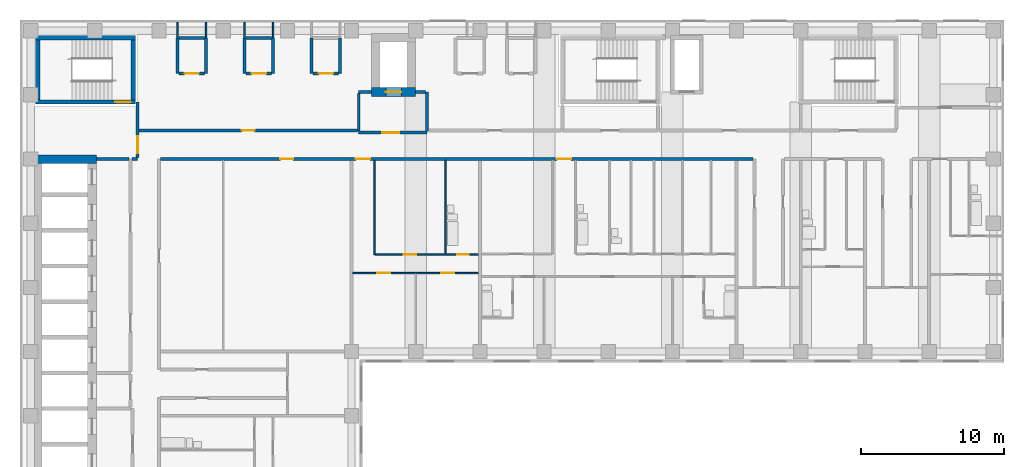
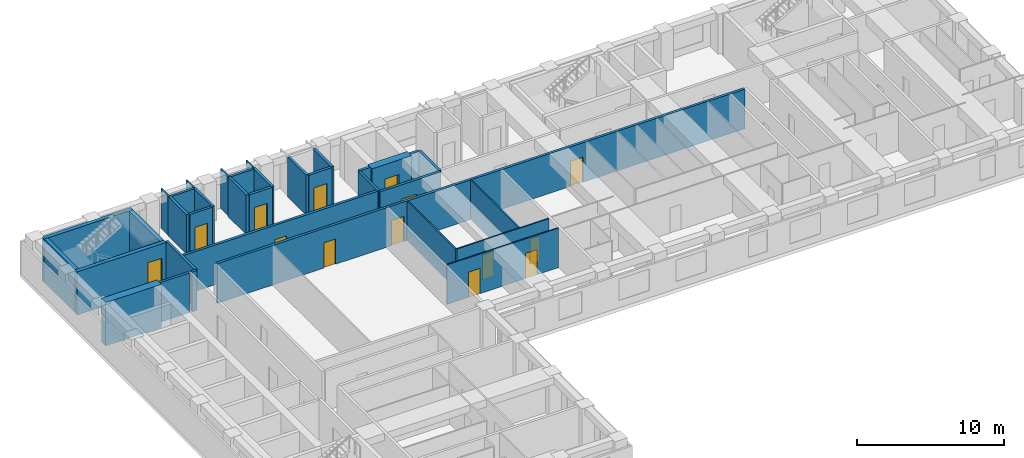
# One storey, part 5 of 12: 35 walls, 15 doors, 15 openings.
"""IFC4 building model written with IfcOpenShell, lengths in metres."""

from ifc_helpers import new_model, si_unit, direction, frame, frame_2d, origin, place, context, subcontext, project, spatial, rectangle, extrude, material, layer, layer_set, type_object, element, fill, save


model = new_model("IFC4")

# Units and contexts
model_context = context("Model", 3, precision=1e-05, world=origin(), true_north=direction((0.0, 1.0)))
body_context = subcontext(model_context, "Body", "Model", "MODEL_VIEW")
ifc_project = project(units=[si_unit("LENGTHUNIT", "METRE"), si_unit("AREAUNIT", "SQUARE_METRE"), si_unit("VOLUMEUNIT", "CUBIC_METRE"), si_unit("PLANEANGLEUNIT", "RADIAN"), si_unit("MASSUNIT", "GRAM", prefix="KILO")], contexts=[model_context])

# Site, building, storey
site_placement = place(None, origin())
site = spatial("IfcSite", under=ifc_project, at=site_placement, CompositionType="ELEMENT")
building_placement = place(site_placement, origin())
building = spatial("IfcBuilding", under=site, at=building_placement, Name="Firuza Court", CompositionType="ELEMENT")
storey_placement = place(building_placement, frame((0.0, 0.0, 126.800048828125)))
storey = spatial("IfcBuildingStorey", under=building, at=storey_placement, Name="L31", CompositionType="ELEMENT", Elevation=126.800048828125)

# Wall
ifc_material_1 = material(Name="Moisture-resistant gypsum board partition")
ifc_layer_1 = layer(ifc_material_1, 0.10009765625)
ifc_layer_set_1 = layer_set([ifc_layer_1], Name="Moisture-resistant gypsum board partition")
wall_type_1 = type_object("IfcWallType", Name="Bathroom partition 100", PredefinedType="PLUMBINGWALL", material=ifc_layer_set_1)
wall_1_placement = place(storey_placement, frame((29.10009765625, 42.85009765625, 0.0), z_axis=(0.0, 0.0, 1.0), x_axis=(0.0, 1.0, 0.0)))
element("IfcWall", 1, at=wall_1_placement, inside=storey, type_object=wall_type_1, Name="Bathroom partition 100 L31", PredefinedType="PLUMBINGWALL", context=body_context, shape_type="SweptSolid", body=[
    extrude(rectangle(XDim=6.5498046875, YDim=0.10009765625, at=frame_2d((3.27490234375, 0.0))), origin(), (0.0, 0.0, 1.0), 3.300048828125),
])

# Wall, opening, door
ifc_material_2 = material(Name="Concrete C60/75", Category="concrete")
ifc_layer_2 = layer(ifc_material_2, 0.300048828125)
ifc_layer_set_2 = layer_set([ifc_layer_2], Name="Concrete C60/75")
wall_type_2 = type_object("IfcWallType", Name="Core wall 300 C60/75", PredefinedType="SHEAR", material=ifc_layer_set_2)
wall_2_placement = place(storey_placement, frame((0.35009765625, 53.5, -0.300048828125), z_axis=(0.0, 0.0, 1.0), x_axis=(1.0, 0.0, 0.0)))
wall_2 = element("IfcWall", 2, at=wall_2_placement, inside=storey, type_object=wall_type_2, Name="Core wall stair L31", PredefinedType="SHEAR", context=body_context, shape_type="SweptSolid", body=[
    extrude(rectangle(XDim=7.0, YDim=0.300048828125, at=frame_2d((3.5, 0.0))), origin(), (0.0, 0.0, 1.0), 3.60009765625),
])
opening_1_placement = place(wall_2_placement, frame((5.580078125, 0.0, 0.300048828125)))
opening_1 = element("IfcOpeningElement", 3, at=opening_1_placement, cuts=wall_2, Name="Opening D31015", PredefinedType="OPENING", context=body_context, shape_type="SweptSolid", body=[
    extrude(rectangle(XDim=1.10009765625, YDim=2.10009765625, at=frame_2d((0.550048828125, 1.050048828125))), frame((0.0, 0.162109375, 0.0), z_axis=(0.0, -1.0, 0.0), x_axis=(1.0, 0.0, 0.0)), (0.0, 0.0, 1.0), 0.323974609375),
])
ifc_material_3 = material(Name="Timber door leaf in hardwood frame", Category="wood")
door_type_1 = type_object("IfcDoorType", Name="Stair door 1100", OperationType="SINGLE_SWING_LEFT", PredefinedType="DOOR", material=ifc_material_3)
door_1_placement = place(opening_1_placement, origin())
door_1 = element("IfcDoor", 4, at=door_1_placement, inside=storey, type_object=door_type_1, Name="Stair door S3", OperationType="SINGLE_SWING_RIGHT", OverallHeight=2.10009765625, OverallWidth=1.10009765625, PredefinedType="DOOR", context=body_context, shape_type="SweptSolid", body=[
    extrude(rectangle(XDim=1.10009765625, YDim=2.10009765625, at=frame_2d((0.550048828125, 1.050048828125))), frame((0.0, 0.02490234375, 0.0), z_axis=(0.0, -1.0, 0.0), x_axis=(1.0, 0.0, 0.0)), (0.0, 0.0, 1.0), 0.050048828125),
])
fill(opening_1, door_1)

# Walls
wall_3_placement = place(storey_placement, frame((0.35009765625, 58.0, -0.300048828125), z_axis=(0.0, 0.0, 1.0), x_axis=(1.0, 0.0, 0.0)))
element("IfcWall", 5, at=wall_3_placement, inside=storey, type_object=wall_type_2, Name="Core wall stair L31", PredefinedType="SHEAR", context=body_context, shape_type="SweptSolid", body=[
    extrude(rectangle(XDim=7.0, YDim=0.300048828125, at=frame_2d((3.5, 0.0))), origin(), (0.0, 0.0, 1.0), 3.60009765625),
])
for number, where, z_axis, x_axis, name in (
    (6, (0.5, 53.64990234375, -0.300048828125), (0.0, 0.0, 1.0), (0.0, 1.0, 0.0), "Core wall stair L31"),
    (7, (7.199951171875, 53.64990234375, -0.300048828125), (0.0, 0.0, 1.0), (0.0, 1.0, 0.0), "Core wall stair L31"),
):
    element("IfcWall", number, at=place(storey_placement, frame(where, z_axis=z_axis, x_axis=x_axis)), inside=storey, type_object=wall_type_2, Name=name, PredefinedType="SHEAR", context=body_context, shape_type="SweptSolid", body=[
        extrude(rectangle(XDim=4.2001953125, YDim=0.300048828125, at=frame_2d((2.10009765625, 0.0))), origin(), (0.0, 0.0, 1.0), 3.60009765625),
    ])
ifc_layer_3 = layer(ifc_material_2, 0.60009765625)
ifc_layer_set_3 = layer_set([ifc_layer_3], Name="Concrete C60/75")
wall_type_3 = type_object("IfcWallType", Name="Core wall 600 C60/75", PredefinedType="SHEAR", material=ifc_layer_set_3)
wall_4_placement = place(storey_placement, frame((0.199951171875, 49.5, -0.300048828125), z_axis=(0.0, 0.0, 1.0), x_axis=(1.0, 0.0, 0.0)))
element("IfcWall", 8, at=wall_4_placement, inside=storey, type_object=wall_type_3, Name="Core wall lift shaft L31", PredefinedType="SHEAR", context=body_context, shape_type="SweptSolid", body=[
    extrude(rectangle(XDim=4.400146484375, YDim=0.60009765625, at=frame_2d((2.2001953125, 0.0))), origin(), (0.0, 0.0, 1.0), 3.60009765625),
])

# Wall, opening, door
wall_5_placement = place(storey_placement, frame((23.89990234375, 54.199951171875, -0.300048828125), z_axis=(0.0, 0.0, 1.0), x_axis=(1.0, 0.0, 0.0)))
wall_5 = element("IfcWall", 9, at=wall_5_placement, inside=storey, type_object=wall_type_3, Name="Core wall lift shaft L31", PredefinedType="SHEAR", context=body_context, shape_type="SweptSolid", body=[
    extrude(rectangle(XDim=3.10009765625, YDim=0.60009765625, at=frame_2d((1.550048828125, 0.0))), origin(), (0.0, 0.0, 1.0), 3.60009765625),
])
opening_2_placement = place(wall_5_placement, frame((1.0, 0.0, 0.300048828125)))
opening_2 = element("IfcOpeningElement", 10, at=opening_2_placement, cuts=wall_5, Name="Opening LD-FL3-31", PredefinedType="OPENING", context=body_context, shape_type="SweptSolid", body=[
    extrude(rectangle(XDim=1.10009765625, YDim=2.10009765625, at=frame_2d((0.550048828125, 1.050048828125))), frame((0.0, 0.31201171875, 0.0), z_axis=(0.0, -1.0, 0.0), x_axis=(1.0, 0.0, 0.0)), (0.0, 0.0, 1.0), 0.6240234375),
])
ifc_material_4 = material(Name="Stainless steel 1.4301 door leaf", Category="steel")
door_type_2 = type_object("IfcDoorType", Name="Lift landing door 1100", OperationType="SLIDING_TO_LEFT", PredefinedType="DOOR", material=ifc_material_4)
door_2_placement = place(opening_2_placement, origin())
door_2 = element("IfcDoor", 11, at=door_2_placement, inside=storey, type_object=door_type_2, Name="Landing door FL3", OperationType="SLIDING_TO_LEFT", OverallHeight=2.10009765625, OverallWidth=1.10009765625, PredefinedType="DOOR", context=body_context, shape_type="SweptSolid", body=[
    extrude(rectangle(XDim=1.10009765625, YDim=2.10009765625, at=frame_2d((0.550048828125, 1.050048828125))), frame((0.0, 0.02490234375, 0.0), z_axis=(0.0, -1.0, 0.0), x_axis=(1.0, 0.0, 0.0)), (0.0, 0.0, 1.0), 0.050048828125),
])
fill(opening_2, door_2)

# Wall, openings, doors
ifc_material_5 = material(Name="Blockwork, plastered both sides", Category="masonry")
ifc_layer_4 = layer(ifc_material_5, 0.199951171875)
ifc_layer_set_4 = layer_set([ifc_layer_4], Name="Blockwork, plastered both sides")
wall_type_4 = type_object("IfcWallType", Name="Corridor wall 200", PredefinedType="PARTITIONING", material=ifc_layer_set_4)
wall_6_placement = place(storey_placement, frame((9.10009765625, 49.5, 0.0), z_axis=(0.0, 0.0, 1.0), x_axis=(1.0, 0.0, 0.0)))
wall_6 = element("IfcWall", 12, at=wall_6_placement, inside=storey, type_object=wall_type_4, Name="Corridor wall 200 L31", PredefinedType="PARTITIONING", context=body_context, shape_type="SweptSolid", body=[
    extrude(rectangle(XDim=41.5498046875, YDim=0.199951171875, at=frame_2d((20.77490234375, 0.0))), origin(), (0.0, 0.0, 1.0), 3.300048828125),
])
opening_3_placement = place(wall_6_placement, frame((13.699951171875, 0.0, 0.0)))
opening_3 = element("IfcOpeningElement", 13, at=opening_3_placement, cuts=wall_6, Name="Opening D31066", PredefinedType="OPENING", context=body_context, shape_type="SweptSolid", body=[
    extrude(rectangle(XDim=1.0, YDim=2.10009765625, at=frame_2d((0.5, 1.050048828125))), frame((0.0, 0.11181640625, 0.0), z_axis=(0.0, -1.0, 0.0), x_axis=(1.0, 0.0, 0.0)), (0.0, 0.0, 1.0), 0.223876953125),
])
opening_4_placement = place(wall_6_placement, frame((27.800048828125, 0.0, 0.0)))
opening_4 = element("IfcOpeningElement", 14, at=opening_4_placement, cuts=wall_6, Name="Opening D31067", PredefinedType="OPENING", context=body_context, shape_type="SweptSolid", body=[
    extrude(rectangle(XDim=1.0, YDim=2.10009765625, at=frame_2d((0.5, 1.050048828125))), frame((0.0, 0.11181640625, 0.0), z_axis=(0.0, -1.0, 0.0), x_axis=(1.0, 0.0, 0.0)), (0.0, 0.0, 1.0), 0.223876953125),
])
opening_5_placement = place(wall_6_placement, frame((8.39990234375, 0.0, 0.0)))
opening_5 = element("IfcOpeningElement", 15, at=opening_5_placement, cuts=wall_6, Name="Opening D31068", PredefinedType="OPENING", context=body_context, shape_type="SweptSolid", body=[
    extrude(rectangle(XDim=0.89990234375, YDim=2.10009765625, at=frame_2d((0.449951171875, 1.050048828125))), frame((0.0, 0.11181640625, 0.0), z_axis=(0.0, -1.0, 0.0), x_axis=(1.0, 0.0, 0.0)), (0.0, 0.0, 1.0), 0.223876953125),
])
ifc_material_6 = material(Name="Timber door leaf in hardwood frame", Category="wood")
door_type_3 = type_object("IfcDoorType", Name="Flat entrance door 1000", OperationType="SINGLE_SWING_LEFT", PredefinedType="DOOR", material=ifc_material_6)
door_3_placement = place(opening_3_placement, origin())
door_3 = element("IfcDoor", 16, at=door_3_placement, inside=storey, type_object=door_type_3, Name="Flat entrance door", OperationType="SINGLE_SWING_LEFT", OverallHeight=2.10009765625, OverallWidth=1.0, PredefinedType="DOOR", context=body_context, shape_type="SweptSolid", body=[
    extrude(rectangle(XDim=1.0, YDim=2.10009765625, at=frame_2d((0.5, 1.050048828125))), frame((0.0, 0.02490234375, 0.0), z_axis=(0.0, -1.0, 0.0), x_axis=(1.0, 0.0, 0.0)), (0.0, 0.0, 1.0), 0.050048828125),
])
fill(opening_3, door_3)
door_4_placement = place(opening_4_placement, origin())
door_4 = element("IfcDoor", 17, at=door_4_placement, inside=storey, type_object=door_type_3, Name="Flat entrance door", OperationType="SINGLE_SWING_LEFT", OverallHeight=2.10009765625, OverallWidth=1.0, PredefinedType="DOOR", context=body_context, shape_type="SweptSolid", body=[
    extrude(rectangle(XDim=1.0, YDim=2.10009765625, at=frame_2d((0.5, 1.050048828125))), frame((0.0, 0.02490234375, 0.0), z_axis=(0.0, -1.0, 0.0), x_axis=(1.0, 0.0, 0.0)), (0.0, 0.0, 1.0), 0.050048828125),
])
fill(opening_4, door_4)
ifc_material_7 = material(Name="Timber door leaf in hardwood frame", Category="wood")
door_type_4 = type_object("IfcDoorType", Name="Room door 900 EI 30", OperationType="SINGLE_SWING_LEFT", PredefinedType="DOOR", material=ifc_material_7)
door_5_placement = place(opening_5_placement, frame((0.89990234375, 0.0, 0.0), z_axis=(0.0, 0.0, 1.0), x_axis=(-1.0, 0.0, 0.0)))
door_5 = element("IfcDoor", 18, at=door_5_placement, inside=storey, type_object=door_type_4, Name="Library door", OperationType="SINGLE_SWING_RIGHT", OverallHeight=2.10009765625, OverallWidth=0.89990234375, PredefinedType="DOOR", context=body_context, shape_type="SweptSolid", body=[
    extrude(rectangle(XDim=0.89990234375, YDim=2.10009765625, at=frame_2d((0.449951171875, 1.050048828125))), frame((0.0, 0.02490234375, 0.0), z_axis=(0.0, -1.0, 0.0), x_axis=(1.0, 0.0, 0.0)), (0.0, 0.0, 1.0), 0.050048828125),
])
fill(opening_5, door_5)

# Wall, opening, door
wall_7_placement = place(storey_placement, frame((7.60009765625, 51.5, 0.0), z_axis=(0.0, 0.0, 1.0), x_axis=(1.0, 0.0, 0.0)))
wall_7 = element("IfcWall", 19, at=wall_7_placement, inside=storey, type_object=wall_type_4, Name="Corridor wall 200 L31", PredefinedType="PARTITIONING", context=body_context, shape_type="SweptSolid", body=[
    extrude(rectangle(XDim=15.2998046875, YDim=0.199951171875, at=frame_2d((7.64990234375, 0.0))), origin(), (0.0, 0.0, 1.0), 3.300048828125),
])
opening_6_placement = place(wall_7_placement, frame((7.199951171875, 0.0, 0.0)))
opening_6 = element("IfcOpeningElement", 20, at=opening_6_placement, cuts=wall_7, Name="Opening D31071", PredefinedType="OPENING", context=body_context, shape_type="SweptSolid", body=[
    extrude(rectangle(XDim=0.89990234375, YDim=2.10009765625, at=frame_2d((0.449951171875, 1.050048828125))), frame((0.0, 0.11181640625, 0.0), z_axis=(0.0, -1.0, 0.0), x_axis=(1.0, 0.0, 0.0)), (0.0, 0.0, 1.0), 0.223876953125),
])
door_6_placement = place(opening_6_placement, origin())
door_6 = element("IfcDoor", 21, at=door_6_placement, inside=storey, type_object=door_type_4, Name="Residents' workroom door", OperationType="SINGLE_SWING_LEFT", OverallHeight=2.10009765625, OverallWidth=0.89990234375, PredefinedType="DOOR", context=body_context, shape_type="SweptSolid", body=[
    extrude(rectangle(XDim=0.89990234375, YDim=2.10009765625, at=frame_2d((0.449951171875, 1.050048828125))), frame((0.0, 0.02490234375, 0.0), z_axis=(0.0, -1.0, 0.0), x_axis=(1.0, 0.0, 0.0)), (0.0, 0.0, 1.0), 0.050048828125),
])
fill(opening_6, door_6)

# Wall, openings, doors
ifc_material_8 = material(Name="Timber stud partition, plasterboard both sides", Category="wood")
ifc_layer_5 = layer(ifc_material_8, 0.10009765625)
ifc_layer_set_5 = layer_set([ifc_layer_5], Name="Timber stud partition, plasterboard both sides")
wall_type_5 = type_object("IfcWallType", Name="Partition wall 100", PredefinedType="PARTITIONING", material=ifc_layer_set_5)
wall_8_placement = place(storey_placement, frame((22.60009765625, 41.5, 0.0), z_axis=(0.0, 0.0, 1.0), x_axis=(1.0, 0.0, 0.0)))
wall_8 = element("IfcWall", 22, at=wall_8_placement, inside=storey, type_object=wall_type_5, Name="Partition wall 100 L31", PredefinedType="PARTITIONING", context=body_context, shape_type="SweptSolid", body=[
    extrude(rectangle(XDim=8.7998046875, YDim=0.10009765625, at=frame_2d((4.39990234375, 0.0))), origin(), (0.0, 0.0, 1.0), 3.300048828125),
])
opening_7_placement = place(wall_8_placement, frame((1.699951171875, 0.0, 0.0)))
opening_7 = element("IfcOpeningElement", 23, at=opening_7_placement, cuts=wall_8, Name="Opening D31050", PredefinedType="OPENING", context=body_context, shape_type="SweptSolid", body=[
    extrude(rectangle(XDim=0.89990234375, YDim=2.10009765625, at=frame_2d((0.449951171875, 1.050048828125))), frame((0.0, 0.06201171875, 0.0), z_axis=(0.0, -1.0, 0.0), x_axis=(1.0, 0.0, 0.0)), (0.0, 0.0, 1.0), 0.1240234375),
])
opening_8_placement = place(wall_8_placement, frame((6.199951171875, 0.0, 0.0)))
opening_8 = element("IfcOpeningElement", 24, at=opening_8_placement, cuts=wall_8, Name="Opening D31051", PredefinedType="OPENING", context=body_context, shape_type="SweptSolid", body=[
    extrude(rectangle(XDim=0.89990234375, YDim=2.10009765625, at=frame_2d((0.449951171875, 1.050048828125))), frame((0.0, 0.06201171875, 0.0), z_axis=(0.0, -1.0, 0.0), x_axis=(1.0, 0.0, 0.0)), (0.0, 0.0, 1.0), 0.1240234375),
])
ifc_material_9 = material(Name="Timber door leaf in hardwood frame", Category="wood")
door_type_5 = type_object("IfcDoorType", Name="Room door 900", OperationType="SINGLE_SWING_LEFT", PredefinedType="DOOR", material=ifc_material_9)
door_7_placement = place(opening_7_placement, frame((0.89990234375, 0.0, 0.0), z_axis=(0.0, 0.0, 1.0), x_axis=(-1.0, 0.0, 0.0)))
door_7 = element("IfcDoor", 25, at=door_7_placement, inside=storey, type_object=door_type_5, Name="Bedroom door", OperationType="SINGLE_SWING_RIGHT", OverallHeight=2.10009765625, OverallWidth=0.89990234375, PredefinedType="DOOR", context=body_context, shape_type="SweptSolid", body=[
    extrude(rectangle(XDim=0.89990234375, YDim=2.10009765625, at=frame_2d((0.449951171875, 1.050048828125))), frame((0.0, 0.02490234375, 0.0), z_axis=(0.0, -1.0, 0.0), x_axis=(1.0, 0.0, 0.0)), (0.0, 0.0, 1.0), 0.050048828125),
])
fill(opening_7, door_7)
door_8_placement = place(opening_8_placement, frame((0.89990234375, 0.0, 0.0), z_axis=(0.0, 0.0, 1.0), x_axis=(-1.0, 0.0, 0.0)))
door_8 = element("IfcDoor", 26, at=door_8_placement, inside=storey, type_object=door_type_5, Name="Living room door", OperationType="SINGLE_SWING_RIGHT", OverallHeight=2.10009765625, OverallWidth=0.89990234375, PredefinedType="DOOR", context=body_context, shape_type="SweptSolid", body=[
    extrude(rectangle(XDim=0.89990234375, YDim=2.10009765625, at=frame_2d((0.449951171875, 1.050048828125))), frame((0.0, 0.02490234375, 0.0), z_axis=(0.0, -1.0, 0.0), x_axis=(1.0, 0.0, 0.0)), (0.0, 0.0, 1.0), 0.050048828125),
])
fill(opening_8, door_8)

# Wall
wall_9_placement = place(storey_placement, frame((24.10009765625, 42.800048828125, 0.0), z_axis=(0.0, 0.0, 1.0), x_axis=(0.0, 1.0, 0.0)))
element("IfcWall", 27, at=wall_9_placement, inside=storey, type_object=wall_type_5, Name="Partition wall 100 L31", PredefinedType="PARTITIONING", context=body_context, shape_type="SweptSolid", body=[
    extrude(rectangle(XDim=6.599853515625, YDim=0.10009765625, at=frame_2d((3.2998046875, 0.0))), origin(), (0.0, 0.0, 1.0), 3.300048828125),
])

# Wall, openings, doors
wall_10_placement = place(storey_placement, frame((24.14990234375, 42.800048828125, 0.0), z_axis=(0.0, 0.0, 1.0), x_axis=(1.0, 0.0, 0.0)))
wall_10 = element("IfcWall", 28, at=wall_10_placement, inside=storey, type_object=wall_type_5, Name="Partition wall 100 L31", PredefinedType="PARTITIONING", context=body_context, shape_type="SweptSolid", body=[
    extrude(rectangle(XDim=7.25, YDim=0.10009765625, at=frame_2d((3.625, 0.0))), origin(), (0.0, 0.0, 1.0), 3.300048828125),
])
opening_9_placement = place(wall_10_placement, frame((5.75, 0.0, 0.0)))
opening_9 = element("IfcOpeningElement", 29, at=opening_9_placement, cuts=wall_10, Name="Opening D31053", PredefinedType="OPENING", context=body_context, shape_type="SweptSolid", body=[
    extrude(rectangle(XDim=0.800048828125, YDim=2.10009765625, at=frame_2d((0.39990234375, 1.050048828125))), frame((0.0, 0.06201171875, 0.0), z_axis=(0.0, -1.0, 0.0), x_axis=(1.0, 0.0, 0.0)), (0.0, 0.0, 1.0), 0.1240234375),
])
opening_10_placement = place(wall_10_placement, frame((2.0, 0.0, 0.0)))
opening_10 = element("IfcOpeningElement", 30, at=opening_10_placement, cuts=wall_10, Name="Opening D31054", PredefinedType="OPENING", context=body_context, shape_type="SweptSolid", body=[
    extrude(rectangle(XDim=0.89990234375, YDim=2.10009765625, at=frame_2d((0.449951171875, 1.050048828125))), frame((0.0, 0.06201171875, 0.0), z_axis=(0.0, -1.0, 0.0), x_axis=(1.0, 0.0, 0.0)), (0.0, 0.0, 1.0), 0.1240234375),
])
ifc_material_10 = material(Name="Timber door leaf in hardwood frame", Category="wood")
door_type_6 = type_object("IfcDoorType", Name="Bathroom door 800", OperationType="SINGLE_SWING_LEFT", PredefinedType="DOOR", material=ifc_material_10)
door_9_placement = place(opening_9_placement, origin())
door_9 = element("IfcDoor", 31, at=door_9_placement, inside=storey, type_object=door_type_6, Name="Bathroom door", OperationType="SINGLE_SWING_LEFT", OverallHeight=2.10009765625, OverallWidth=0.800048828125, PredefinedType="DOOR", context=body_context, shape_type="SweptSolid", body=[
    extrude(rectangle(XDim=0.800048828125, YDim=2.10009765625, at=frame_2d((0.39990234375, 1.050048828125))), frame((0.0, 0.02490234375, 0.0), z_axis=(0.0, -1.0, 0.0), x_axis=(1.0, 0.0, 0.0)), (0.0, 0.0, 1.0), 0.050048828125),
])
fill(opening_9, door_9)
door_10_placement = place(opening_10_placement, origin())
door_10 = element("IfcDoor", 32, at=door_10_placement, inside=storey, type_object=door_type_5, Name="Kitchen door", OperationType="SINGLE_SWING_LEFT", OverallHeight=2.10009765625, OverallWidth=0.89990234375, PredefinedType="DOOR", context=body_context, shape_type="SweptSolid", body=[
    extrude(rectangle(XDim=0.89990234375, YDim=2.10009765625, at=frame_2d((0.449951171875, 1.050048828125))), frame((0.0, 0.02490234375, 0.0), z_axis=(0.0, -1.0, 0.0), x_axis=(1.0, 0.0, 0.0)), (0.0, 0.0, 1.0), 0.050048828125),
])
fill(opening_10, door_10)

# Walls
for number, where, z_axis, x_axis, name in (
    (33, (10.300048828125, 58.0, 0.0), (0.0, 0.0, 1.0), (0.0, 1.0, 0.0), "Partition wall 100 L31"),
    (34, (12.300048828125, 58.0, 0.0), (0.0, 0.0, 1.0), (0.0, 1.0, 0.0), "Partition wall 100 L31"),
    (35, (15.0, 58.0, 0.0), (0.0, 0.0, 1.0), (0.0, 1.0, 0.0), "Partition wall 100 L31"),
    (36, (17.0, 58.0, 0.0), (0.0, 0.0, 1.0), (0.0, 1.0, 0.0), "Partition wall 100 L31"),
):
    element("IfcWall", number, at=place(storey_placement, frame(where, z_axis=z_axis, x_axis=x_axis)), inside=storey, type_object=wall_type_5, Name=name, PredefinedType="PARTITIONING", context=body_context, shape_type="SweptSolid", body=[
        extrude(rectangle(XDim=1.10009765625, YDim=0.10009765625, at=frame_2d((0.550048828125, 0.0))), origin(), (0.0, 0.0, 1.0), 3.300048828125),
    ])
ifc_material_11 = material(Name="Blockwork, fire-rated", Category="masonry")
ifc_layer_6 = layer(ifc_material_11, 0.199951171875)
ifc_layer_set_6 = layer_set([ifc_layer_6], Name="Blockwork, fire-rated")
wall_type_6 = type_object("IfcWallType", Name="Plant room wall 200", PredefinedType="PARTITIONING", material=ifc_layer_set_6)
wall_11_placement = place(storey_placement, frame((10.300048828125, 55.5, 0.0), z_axis=(0.0, 0.0, 1.0), x_axis=(0.0, 1.0, 0.0)))
element("IfcWall", 37, at=wall_11_placement, inside=storey, type_object=wall_type_6, Name="Plant room wall 200 L31", PredefinedType="PARTITIONING", context=body_context, shape_type="SweptSolid", body=[
    extrude(rectangle(XDim=2.5, YDim=0.199951171875, at=frame_2d((1.25, 0.0))), origin(), (0.0, 0.0, 1.0), 3.300048828125),
])

# Wall, opening, door
wall_12_placement = place(storey_placement, frame((10.39990234375, 55.5, 0.0), z_axis=(0.0, 0.0, 1.0), x_axis=(1.0, 0.0, 0.0)))
wall_12 = element("IfcWall", 38, at=wall_12_placement, inside=storey, type_object=wall_type_6, Name="Plant room wall 200 L31", PredefinedType="PARTITIONING", context=body_context, shape_type="SweptSolid", body=[
    extrude(rectangle(XDim=1.800048828125, YDim=0.199951171875, at=frame_2d((0.89990234375, 0.0))), origin(), (0.0, 0.0, 1.0), 3.300048828125),
])
opening_11_placement = place(wall_12_placement, frame((0.39990234375, 0.0, 0.0)))
opening_11 = element("IfcOpeningElement", 39, at=opening_11_placement, cuts=wall_12, Name="Opening D31075", PredefinedType="OPENING", context=body_context, shape_type="SweptSolid", body=[
    extrude(rectangle(XDim=1.0, YDim=2.10009765625, at=frame_2d((0.5, 1.050048828125))), frame((0.0, 0.11181640625, 0.0), z_axis=(0.0, -1.0, 0.0), x_axis=(1.0, 0.0, 0.0)), (0.0, 0.0, 1.0), 0.223876953125),
])
ifc_material_12 = material(Name="Timber door leaf in hardwood frame", Category="wood")
door_type_7 = type_object("IfcDoorType", Name="Riser door 1000", OperationType="SINGLE_SWING_LEFT", PredefinedType="DOOR", material=ifc_material_12)
door_11_placement = place(opening_11_placement, origin())
door_11 = element("IfcDoor", 40, at=door_11_placement, inside=storey, type_object=door_type_7, Name="Comms riser door", OperationType="SINGLE_SWING_LEFT", OverallHeight=2.10009765625, OverallWidth=1.0, PredefinedType="DOOR", context=body_context, shape_type="SweptSolid", body=[
    extrude(rectangle(XDim=1.0, YDim=2.10009765625, at=frame_2d((0.5, 1.050048828125))), frame((0.0, 0.02490234375, 0.0), z_axis=(0.0, -1.0, 0.0), x_axis=(1.0, 0.0, 0.0)), (0.0, 0.0, 1.0), 0.050048828125),
])
fill(opening_11, door_11)

# Walls
for number, where, z_axis, x_axis, name in (
    (41, (12.300048828125, 55.5, 0.0), (0.0, 0.0, 1.0), (0.0, 1.0, 0.0), "Plant room wall 200 L31"),
    (42, (15.0, 55.5, 0.0), (0.0, 0.0, 1.0), (0.0, 1.0, 0.0), "Plant room wall 200 L31"),
):
    element("IfcWall", number, at=place(storey_placement, frame(where, z_axis=z_axis, x_axis=x_axis)), inside=storey, type_object=wall_type_6, Name=name, PredefinedType="PARTITIONING", context=body_context, shape_type="SweptSolid", body=[
        extrude(rectangle(XDim=2.5, YDim=0.199951171875, at=frame_2d((1.25, 0.0))), origin(), (0.0, 0.0, 1.0), 3.300048828125),
    ])

# Wall, opening, door
wall_13_placement = place(storey_placement, frame((15.10009765625, 55.5, 0.0), z_axis=(0.0, 0.0, 1.0), x_axis=(1.0, 0.0, 0.0)))
wall_13 = element("IfcWall", 43, at=wall_13_placement, inside=storey, type_object=wall_type_6, Name="Plant room wall 200 L31", PredefinedType="PARTITIONING", context=body_context, shape_type="SweptSolid", body=[
    extrude(rectangle(XDim=1.7998046875, YDim=0.199951171875, at=frame_2d((0.89990234375, 0.0))), origin(), (0.0, 0.0, 1.0), 3.300048828125),
])
opening_12_placement = place(wall_13_placement, frame((0.39990234375, 0.0, 0.0)))
opening_12 = element("IfcOpeningElement", 44, at=opening_12_placement, cuts=wall_13, Name="Opening D31076", PredefinedType="OPENING", context=body_context, shape_type="SweptSolid", body=[
    extrude(rectangle(XDim=1.0, YDim=2.10009765625, at=frame_2d((0.5, 1.050048828125))), frame((0.0, 0.11181640625, 0.0), z_axis=(0.0, -1.0, 0.0), x_axis=(1.0, 0.0, 0.0)), (0.0, 0.0, 1.0), 0.223876953125),
])
door_12_placement = place(opening_12_placement, origin())
door_12 = element("IfcDoor", 45, at=door_12_placement, inside=storey, type_object=door_type_7, Name="Electrical riser door", OperationType="SINGLE_SWING_LEFT", OverallHeight=2.10009765625, OverallWidth=1.0, PredefinedType="DOOR", context=body_context, shape_type="SweptSolid", body=[
    extrude(rectangle(XDim=1.0, YDim=2.10009765625, at=frame_2d((0.5, 1.050048828125))), frame((0.0, 0.02490234375, 0.0), z_axis=(0.0, -1.0, 0.0), x_axis=(1.0, 0.0, 0.0)), (0.0, 0.0, 1.0), 0.050048828125),
])
fill(opening_12, door_12)

# Walls
for number, where, z_axis, x_axis, name in (
    (46, (17.0, 55.5, 0.0), (0.0, 0.0, 1.0), (0.0, 1.0, 0.0), "Plant room wall 200 L31"),
    (47, (19.699951171875, 55.5, 0.0), (0.0, 0.0, 1.0), (0.0, 1.0, 0.0), "Plant room wall 200 L31"),
):
    element("IfcWall", number, at=place(storey_placement, frame(where, z_axis=z_axis, x_axis=x_axis)), inside=storey, type_object=wall_type_6, Name=name, PredefinedType="PARTITIONING", context=body_context, shape_type="SweptSolid", body=[
        extrude(rectangle(XDim=2.5, YDim=0.199951171875, at=frame_2d((1.25, 0.0))), origin(), (0.0, 0.0, 1.0), 3.300048828125),
    ])

# Wall, opening, door
wall_14_placement = place(storey_placement, frame((19.800048828125, 55.5, 0.0), z_axis=(0.0, 0.0, 1.0), x_axis=(1.0, 0.0, 0.0)))
wall_14 = element("IfcWall", 48, at=wall_14_placement, inside=storey, type_object=wall_type_6, Name="Plant room wall 200 L31", PredefinedType="PARTITIONING", context=body_context, shape_type="SweptSolid", body=[
    extrude(rectangle(XDim=1.800048828125, YDim=0.199951171875, at=frame_2d((0.89990234375, 0.0))), origin(), (0.0, 0.0, 1.0), 3.300048828125),
])
opening_13_placement = place(wall_14_placement, frame((0.39990234375, 0.0, 0.0)))
opening_13 = element("IfcOpeningElement", 49, at=opening_13_placement, cuts=wall_14, Name="Opening D31077", PredefinedType="OPENING", context=body_context, shape_type="SweptSolid", body=[
    extrude(rectangle(XDim=1.0, YDim=2.10009765625, at=frame_2d((0.5, 1.050048828125))), frame((0.0, 0.11181640625, 0.0), z_axis=(0.0, -1.0, 0.0), x_axis=(1.0, 0.0, 0.0)), (0.0, 0.0, 1.0), 0.223876953125),
])
door_13_placement = place(opening_13_placement, origin())
door_13 = element("IfcDoor", 50, at=door_13_placement, inside=storey, type_object=door_type_7, Name="Duct riser door", OperationType="SINGLE_SWING_LEFT", OverallHeight=2.10009765625, OverallWidth=1.0, PredefinedType="DOOR", context=body_context, shape_type="SweptSolid", body=[
    extrude(rectangle(XDim=1.0, YDim=2.10009765625, at=frame_2d((0.5, 1.050048828125))), frame((0.0, 0.02490234375, 0.0), z_axis=(0.0, -1.0, 0.0), x_axis=(1.0, 0.0, 0.0)), (0.0, 0.0, 1.0), 0.050048828125),
])
fill(opening_13, door_13)

# Walls
wall_15_placement = place(storey_placement, frame((21.699951171875, 55.5, 0.0), z_axis=(0.0, 0.0, 1.0), x_axis=(0.0, 1.0, 0.0)))
element("IfcWall", 51, at=wall_15_placement, inside=storey, type_object=wall_type_6, Name="Plant room wall 200 L31", PredefinedType="PARTITIONING", context=body_context, shape_type="SweptSolid", body=[
    extrude(rectangle(XDim=2.5, YDim=0.199951171875, at=frame_2d((1.25, 0.0))), origin(), (0.0, 0.0, 1.0), 3.300048828125),
])
wall_16_placement = place(storey_placement, frame((10.39990234375, 58.0, 0.0), z_axis=(0.0, 0.0, 1.0), x_axis=(1.0, 0.0, 0.0)))
element("IfcWall", 52, at=wall_16_placement, inside=storey, type_object=wall_type_6, Name="Plant room wall 200 L31", PredefinedType="PARTITIONING", context=body_context, shape_type="SweptSolid", body=[
    extrude(rectangle(XDim=1.800048828125, YDim=0.199951171875, at=frame_2d((0.89990234375, 0.0))), origin(), (0.0, 0.0, 1.0), 3.300048828125),
])
wall_17_placement = place(storey_placement, frame((15.10009765625, 58.0, 0.0), z_axis=(0.0, 0.0, 1.0), x_axis=(1.0, 0.0, 0.0)))
element("IfcWall", 53, at=wall_17_placement, inside=storey, type_object=wall_type_6, Name="Plant room wall 200 L31", PredefinedType="PARTITIONING", context=body_context, shape_type="SweptSolid", body=[
    extrude(rectangle(XDim=1.7998046875, YDim=0.199951171875, at=frame_2d((0.89990234375, 0.0))), origin(), (0.0, 0.0, 1.0), 3.300048828125),
])
ifc_layer_7 = layer(ifc_material_11, 0.199951171875)
ifc_layer_set_7 = layer_set([ifc_layer_7], Name="Blockwork, fire-rated")
wall_type_7 = type_object("IfcWallType", Name="Shaft wall 200", PredefinedType="PARTITIONING", material=ifc_layer_set_7)
wall_18_placement = place(storey_placement, frame((4.60009765625, 49.5, 0.0), z_axis=(0.0, 0.0, 1.0), x_axis=(1.0, 0.0, 0.0)))
element("IfcWall", 54, at=wall_18_placement, inside=storey, type_object=wall_type_7, Name="Shaft wall 200 L31", PredefinedType="PARTITIONING", context=body_context, shape_type="SweptSolid", body=[
    extrude(rectangle(XDim=2.2998046875, YDim=0.199951171875, at=frame_2d((1.14990234375, 0.0))), origin(), (0.0, 0.0, 1.0), 3.300048828125),
])

# Wall, opening, door
wall_19_placement = place(storey_placement, frame((23.0, 51.35009765625, 0.0), z_axis=(0.0, 0.0, 1.0), x_axis=(1.0, 0.0, 0.0)))
wall_19 = element("IfcWall", 55, at=wall_19_placement, inside=storey, type_object=wall_type_7, Name="Shaft wall 200 L31", PredefinedType="PARTITIONING", context=body_context, shape_type="SweptSolid", body=[
    extrude(rectangle(XDim=4.800048828125, YDim=0.199951171875, at=frame_2d((2.39990234375, 0.0))), origin(), (0.0, 0.0, 1.0), 3.300048828125),
])
opening_14_placement = place(wall_19_placement, frame((1.64990234375, 0.0, 0.0)))
opening_14 = element("IfcOpeningElement", 56, at=opening_14_placement, cuts=wall_19, Name="Opening D31003", PredefinedType="OPENING", context=body_context, shape_type="SweptSolid", body=[
    extrude(rectangle(XDim=1.199951171875, YDim=2.10009765625, at=frame_2d((0.60009765625, 1.050048828125))), frame((0.0, 0.11181640625, 0.0), z_axis=(0.0, -1.0, 0.0), x_axis=(1.0, 0.0, 0.0)), (0.0, 0.0, 1.0), 0.223876953125),
])
ifc_material_13 = material(Name="Timber door leaf in hardwood frame", Category="wood")
door_type_8 = type_object("IfcDoorType", Name="Lobby door 1200", OperationType="SINGLE_SWING_LEFT", PredefinedType="DOOR", material=ifc_material_13)
door_14_placement = place(opening_14_placement, origin())
door_14 = element("IfcDoor", 57, at=door_14_placement, inside=storey, type_object=door_type_8, Name="Fire-fighting lobby door", OperationType="SINGLE_SWING_LEFT", OverallHeight=2.10009765625, OverallWidth=1.199951171875, PredefinedType="DOOR", context=body_context, shape_type="SweptSolid", body=[
    extrude(rectangle(XDim=1.199951171875, YDim=2.10009765625, at=frame_2d((0.60009765625, 1.050048828125))), frame((0.0, 0.02490234375, 0.0), z_axis=(0.0, -1.0, 0.0), x_axis=(1.0, 0.0, 0.0)), (0.0, 0.0, 1.0), 0.050048828125),
])
fill(opening_14, door_14)

# Walls
wall_20_placement = place(storey_placement, frame((27.800048828125, 51.449951171875, 0.0), z_axis=(0.0, 0.0, 1.0), x_axis=(0.0, 1.0, 0.0)))
element("IfcWall", 58, at=wall_20_placement, inside=storey, type_object=wall_type_7, Name="Shaft wall 200 L31", PredefinedType="PARTITIONING", context=body_context, shape_type="SweptSolid", body=[
    extrude(rectangle(XDim=2.75, YDim=0.199951171875, at=frame_2d((1.375, 0.0))), origin(), (0.0, 0.0, 1.0), 3.300048828125),
])
wall_21_placement = place(storey_placement, frame((23.0, 54.199951171875, 0.0), z_axis=(0.0, 0.0, 1.0), x_axis=(1.0, 0.0, 0.0)))
element("IfcWall", 59, at=wall_21_placement, inside=storey, type_object=wall_type_7, Name="Shaft wall 200 L31", PredefinedType="PARTITIONING", context=body_context, shape_type="SweptSolid", body=[
    extrude(rectangle(XDim=0.89990234375, YDim=0.199951171875, at=frame_2d((0.449951171875, 0.0))), origin(), (0.0, 0.0, 1.0), 3.300048828125),
])
wall_22_placement = place(storey_placement, frame((27.0, 54.199951171875, 0.0), z_axis=(0.0, 0.0, 1.0), x_axis=(1.0, 0.0, 0.0)))
element("IfcWall", 60, at=wall_22_placement, inside=storey, type_object=wall_type_7, Name="Shaft wall 200 L31", PredefinedType="PARTITIONING", context=body_context, shape_type="SweptSolid", body=[
    extrude(rectangle(XDim=0.699951171875, YDim=0.199951171875, at=frame_2d((0.35009765625, 0.0))), origin(), (0.0, 0.0, 1.0), 3.300048828125),
])
wall_23_placement = place(storey_placement, frame((23.0, 51.449951171875, 0.0), z_axis=(0.0, 0.0, 1.0), x_axis=(0.0, 1.0, 0.0)))
element("IfcWall", 61, at=wall_23_placement, inside=storey, type_object=wall_type_7, Name="Shaft wall 200 L31", PredefinedType="PARTITIONING", context=body_context, shape_type="SweptSolid", body=[
    extrude(rectangle(XDim=2.650146484375, YDim=0.199951171875, at=frame_2d((1.3251953125, 0.0))), origin(), (0.0, 0.0, 1.0), 3.300048828125),
])
wall_24_placement = place(storey_placement, frame((7.10009765625, 49.5, 0.0), z_axis=(0.0, 0.0, 1.0), x_axis=(1.0, 0.0, 0.0)))
element("IfcWall", 62, at=wall_24_placement, inside=storey, type_object=wall_type_7, Name="Shaft wall 200 L31", PredefinedType="PARTITIONING", context=body_context, shape_type="SweptSolid", body=[
    extrude(rectangle(XDim=0.39990234375, YDim=0.199951171875, at=frame_2d((0.199951171875, 0.0))), origin(), (0.0, 0.0, 1.0), 3.300048828125),
])

# Wall, opening, door
wall_25_placement = place(storey_placement, frame((7.5, 49.60009765625, 0.0), z_axis=(0.0, 0.0, 1.0), x_axis=(0.0, 1.0, 0.0)))
wall_25 = element("IfcWall", 63, at=wall_25_placement, inside=storey, type_object=wall_type_7, Name="Shaft wall 200 L31", PredefinedType="PARTITIONING", context=body_context, shape_type="SweptSolid", body=[
    extrude(rectangle(XDim=3.89990234375, YDim=0.199951171875, at=frame_2d((1.949951171875, 0.0))), origin(), (0.0, 0.0, 1.0), 3.300048828125),
])
opening_15_placement = place(wall_25_placement, frame((0.300048828125, 0.0, 0.0)))
opening_15 = element("IfcOpeningElement", 64, at=opening_15_placement, cuts=wall_25, Name="Opening D31001", PredefinedType="OPENING", context=body_context, shape_type="SweptSolid", body=[
    extrude(rectangle(XDim=1.199951171875, YDim=2.10009765625, at=frame_2d((0.60009765625, 1.050048828125))), frame((0.0, 0.11181640625, 0.0), z_axis=(0.0, -1.0, 0.0), x_axis=(1.0, 0.0, 0.0)), (0.0, 0.0, 1.0), 0.223876953125),
])
door_15_placement = place(opening_15_placement, origin())
door_15 = element("IfcDoor", 65, at=door_15_placement, inside=storey, type_object=door_type_8, Name="Lobby door", OperationType="SINGLE_SWING_LEFT", OverallHeight=2.10009765625, OverallWidth=1.199951171875, PredefinedType="DOOR", context=body_context, shape_type="SweptSolid", body=[
    extrude(rectangle(XDim=1.199951171875, YDim=2.10009765625, at=frame_2d((0.60009765625, 1.050048828125))), frame((0.0, 0.02490234375, 0.0), z_axis=(0.0, -1.0, 0.0), x_axis=(1.0, 0.0, 0.0)), (0.0, 0.0, 1.0), 0.050048828125),
])
fill(opening_15, door_15)

save(model, "model.ifc")
